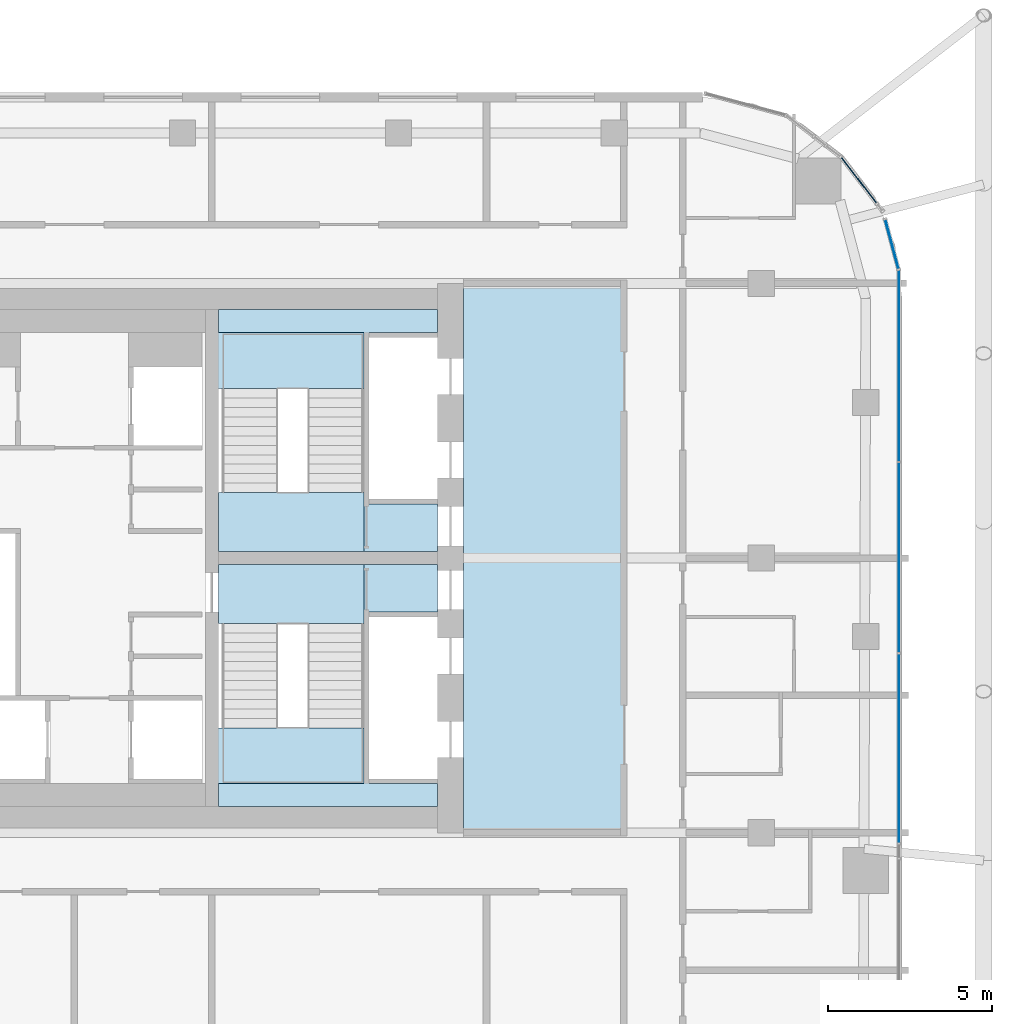
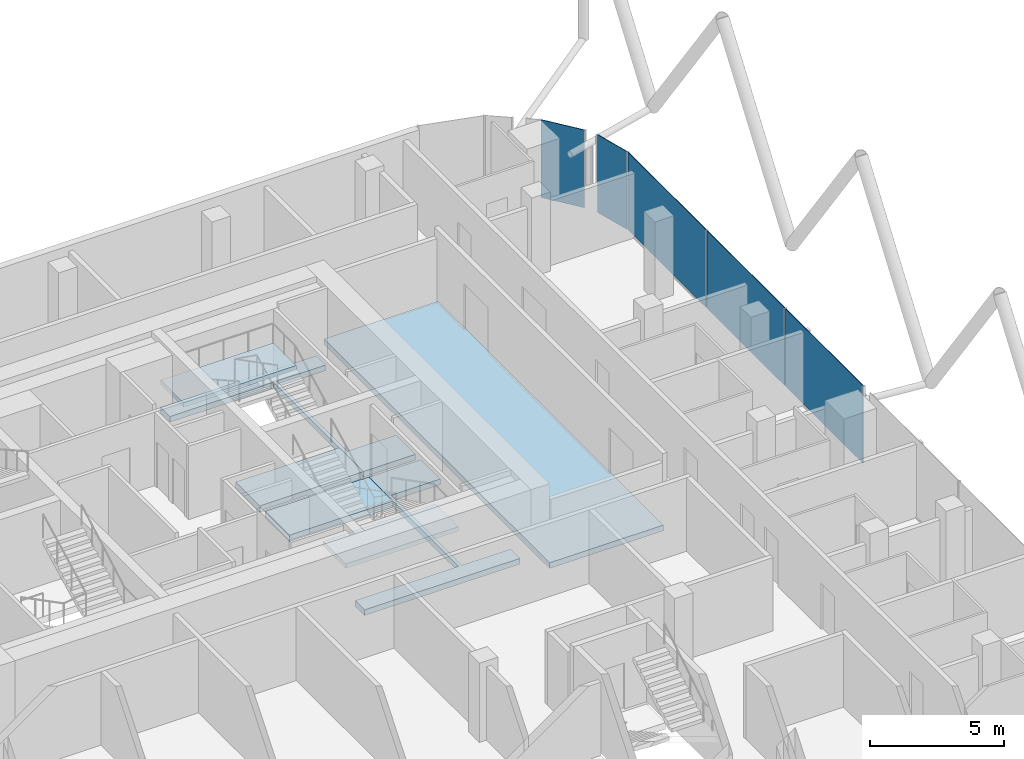
# One storey, part 21 of 31: 7 slabs, 5 plates, 5 elements without a shape of their own.
"""IFC4 building model written with IfcOpenShell, lengths in metres."""

import ifcopenshell
import ifcopenshell.guid

model = None  # the IFC model being written
_history = None  # IfcOwnerHistory: only IFC2X3 demands one
_inside = {}  # id of a spatial element -> (the spatial element, [elements in it])
_under = {}  # id of a project, library or spatial element -> (it, [spatial elements below it])
_declared = {}  # id of a project -> (the project, [libraries it declares])
_typed = {}  # id of a type object -> (the type object, [elements of that type])
_made_of = {}  # id of a material, layer set ... -> (it, [elements and type objects made of it])


def new_model(schema):
    """Start an empty IFC model of exactly this schema.

    Asked for "IFC4X3", IfcOpenShell would pick the latest addendum, in which some entities
    have other attributes; the version numbers below select the first issue.
    IFC2X3 requires an IfcOwnerHistory on every rooted entity: one is made here for all.
    """
    global model, _history
    if schema == "IFC4X3":
        model = ifcopenshell.file(schema_version=(4, 3, 0, 0))
    else:
        model = ifcopenshell.file(schema=schema)
    _inside.clear()
    _under.clear()
    _declared.clear()
    _typed.clear()
    _made_of.clear()
    _history = None
    if model.schema == "IFC2X3":
        org = make("IfcOrganization", Name="unknown")
        user = make(
            "IfcPersonAndOrganization",
            ThePerson=make("IfcPerson", FamilyName="unknown"),
            TheOrganization=org,
        )
        app = make(
            "IfcApplication",
            ApplicationDeveloper=org,
            Version="unknown",
            ApplicationFullName="unknown",
            ApplicationIdentifier="unknown",
        )
        _history = make(
            "IfcOwnerHistory",
            OwningUser=user,
            OwningApplication=app,
            ChangeAction="ADDED",
            CreationDate=0,
        )
    return model


def make(cls, **values):
    """One entity of the class cls with the attributes given. An attribute that is None is left unset."""
    return model.create_entity(
        cls, **{name: value for name, value in values.items() if value is not None}
    )


def rooted(cls, **values):
    """An entity with a GlobalId (a new one), such as an element, a storey or a relation."""
    return make(cls, GlobalId=ifcopenshell.guid.new(), OwnerHistory=_history, **values)


def si_unit(unit_type, name, prefix=None):
    """IfcSIUnit, for example si_unit("LENGTHUNIT", "METRE", prefix="MILLI")."""
    return make("IfcSIUnit", UnitType=unit_type, Prefix=prefix, Name=name)


def assignment(units):
    """IfcUnitAssignment: the units of a project."""
    return None if units is None else make("IfcUnitAssignment", Units=units)


def point(xyz):
    """IfcCartesianPoint."""
    return None if xyz is None else make("IfcCartesianPoint", Coordinates=xyz)


def direction(xyz):
    """IfcDirection."""
    return None if xyz is None else make("IfcDirection", DirectionRatios=xyz)


def frame(location, z_axis=None, x_axis=None):
    """IfcAxis2Placement3D, a coordinate frame: its origin and axes. An axis left out is left unset."""
    return make(
        "IfcAxis2Placement3D",
        Location=point(location),
        Axis=direction(z_axis),
        RefDirection=direction(x_axis),
    )


def frame_2d(location, x_axis=None):
    """IfcAxis2Placement2D, a coordinate frame in the plane: its origin and x axis."""
    return make(
        "IfcAxis2Placement2D", Location=point(location), RefDirection=direction(x_axis)
    )


def origin():
    """The frame at (0, 0, 0) with its axes left unset."""
    return frame((0.0, 0.0, 0.0))


def origin_2d():
    """The frame at (0, 0) in the plane with its x axis left unset."""
    return frame_2d((0.0, 0.0))


def place(relative_to, where):
    """IfcLocalPlacement: puts the frame where relative to a parent placement (None: the world)."""
    return make(
        "IfcLocalPlacement", PlacementRelTo=relative_to, RelativePlacement=where
    )


def context(
    kind, dimensions, precision=None, world=None, true_north=None, identifier=None
):
    """IfcGeometricRepresentationContext, for example the 3D "Model" context."""
    return make(
        "IfcGeometricRepresentationContext",
        ContextIdentifier=identifier,
        ContextType=kind,
        CoordinateSpaceDimension=dimensions,
        Precision=precision,
        WorldCoordinateSystem=world,
        TrueNorth=true_north,
    )


def subcontext(parent, identifier, kind, view, scale=None):
    """IfcGeometricRepresentationSubContext, for example "Body" below "Model"."""
    return make(
        "IfcGeometricRepresentationSubContext",
        ContextIdentifier=identifier,
        ContextType=kind,
        ParentContext=parent,
        TargetScale=scale,
        TargetView=view,
    )


def project(units=None, contexts=None):
    """IfcProject with its units and contexts."""
    return rooted(
        "IfcProject",
        Name="project",
        RepresentationContexts=contexts,
        UnitsInContext=assignment(units),
    )


def spatial(cls, under=None, at=None, **own):
    """A site, building, storey or space (cls), placed at a placement, below another one or the project."""
    s = rooted(cls, ObjectPlacement=at, **own)
    if under is not None:
        _under.setdefault(under.id(), (under, []))[1].append(s)
    return s


def polyline(points):
    """IfcPolyline through the points."""
    return make("IfcPolyline", Points=[point(p) for p in points])


def profile(cls, at=None, kind="AREA", **sizes):
    """A parametric profile (cls). Its sizes go by their IFC names, for example OverallWidth=200.0."""
    return make(cls, ProfileType=kind, Position=at, **sizes)


def rectangle(**sizes):
    """IfcRectangleProfileDef."""
    return profile("IfcRectangleProfileDef", **sizes)


def outline(outer, holes=None, kind="AREA"):
    """IfcArbitraryClosedProfileDef: a profile drawn as a closed curve; with holes, ...WithVoids."""
    if holes is None:
        return make("IfcArbitraryClosedProfileDef", ProfileType=kind, OuterCurve=outer)
    return make(
        "IfcArbitraryProfileDefWithVoids",
        ProfileType=kind,
        OuterCurve=outer,
        InnerCurves=holes,
    )


def extrude(swept, where, along, depth):
    """IfcExtrudedAreaSolid: the profile swept, set in the frame where, extruded along a direction by depth."""
    return make(
        "IfcExtrudedAreaSolid",
        SweptArea=swept,
        Position=where,
        ExtrudedDirection=direction(along),
        Depth=depth,
    )


def shape(context_of_items, identifier, shape_type, items):
    """IfcShapeRepresentation: the items that make up one representation, for example the "Body"."""
    return make(
        "IfcShapeRepresentation",
        ContextOfItems=context_of_items,
        RepresentationIdentifier=identifier,
        RepresentationType=shape_type,
        Items=items,
    )


def material(Name=None, Category=None):
    """IfcMaterial."""
    return make("IfcMaterial", Name=Name, Category=Category)


def layer(
    of_material, thickness, ventilated=None, Name=None, Category=None, Priority=None
):
    """IfcMaterialLayer: one layer of a wall or slab, of a material (None: an air gap)."""
    return make(
        "IfcMaterialLayer",
        Material=of_material,
        LayerThickness=thickness,
        IsVentilated=ventilated,
        Name=Name,
        Category=Category,
        Priority=Priority,
    )


def layer_set(layers, Name=None):
    """IfcMaterialLayerSet."""
    return make("IfcMaterialLayerSet", MaterialLayers=layers, LayerSetName=Name)


def made_of(thing, what):
    """Note that an element or type object is made of a material, layer set ...; save() writes the relation."""
    if what is not None:
        _made_of.setdefault(what.id(), (what, []))[1].append(thing)
    return thing


def type_object(cls, material=None, **own):
    """A type object (cls), such as IfcWallType, which elements share."""
    return made_of(rooted(cls, **own), material)


def element(
    cls,
    number,
    at=None,
    inside=None,
    cuts=None,
    type_object=None,
    material=None,
    context=None,
    identifier="Body",
    shape_type=None,
    held_by="IfcProductDefinitionShape",
    body=None,
    shapes=None,
    **own,
):
    """One element of the class cls, such as IfcWall. Its Tag is "e" and its number.

    at: its placement. inside: the storey or other place that contains it. cuts: it is an
    opening in that element (IfcRelVoidsElement). A single representation is given by context,
    identifier, shape_type and body (its items); several are given by shapes. held_by: the class
    of the entity that holds the representations. save() writes the other relations.
    """
    e = rooted(cls, Tag="e%d" % number, ObjectPlacement=at, **own)
    if body is not None:
        shapes = [shape(context, identifier, shape_type, body)]
    if shapes is not None:
        e.Representation = make(held_by, Representations=shapes)
    if inside is not None:
        _inside.setdefault(inside.id(), (inside, []))[1].append(e)
    if cuts is not None:
        rooted(
            "IfcRelVoidsElement", RelatingBuildingElement=cuts, RelatedOpeningElement=e
        )
    if type_object is not None:
        _typed.setdefault(type_object.id(), (type_object, []))[1].append(e)
    return made_of(e, material)


def aggregate(whole, parts):
    """IfcRelAggregates: a whole, such as a stair, and the parts it consists of."""
    return rooted("IfcRelAggregates", RelatingObject=whole, RelatedObjects=parts)


def save(model, path):
    """Write the relations noted so far, then the file.

    IfcRelAggregates (storeys below a building ...), IfcRelContainedInSpatialStructure (elements
    in a storey), IfcRelDefinesByType, IfcRelAssociatesMaterial and IfcRelDeclares: one each for
    every whole, place, type object, material and project.
    """
    for whole, parts in _under.values():
        aggregate(whole, parts)
    for where, things in _inside.values():
        rooted(
            "IfcRelContainedInSpatialStructure",
            RelatedElements=things,
            RelatingStructure=where,
        )
    for kind, things in _typed.values():
        rooted("IfcRelDefinesByType", RelatedObjects=things, RelatingType=kind)
    for what, things in _made_of.values():
        rooted("IfcRelAssociatesMaterial", RelatedObjects=things, RelatingMaterial=what)
    for by, libraries in _declared.values():
        rooted("IfcRelDeclares", RelatingContext=by, RelatedDefinitions=libraries)
    model.write(path)


model = new_model("IFC4")

# Units and contexts
model_context = context("Model", 3, precision=1e-05, world=origin(), true_north=direction((0.0, 1.0)))
body_context = subcontext(model_context, "Body", "Model", "MODEL_VIEW")
ifc_project = project(units=[si_unit("LENGTHUNIT", "METRE"), si_unit("AREAUNIT", "SQUARE_METRE"), si_unit("VOLUMEUNIT", "CUBIC_METRE"), si_unit("PLANEANGLEUNIT", "RADIAN"), si_unit("MASSUNIT", "GRAM", prefix="KILO")], contexts=[model_context])

# Site, building, storey
site_placement = place(None, origin())
site = spatial("IfcSite", under=ifc_project, at=site_placement, CompositionType="ELEMENT")
building_placement = place(site_placement, origin())
building = spatial("IfcBuilding", under=site, at=building_placement, Name="Marenta Gate Hotel Tower", CompositionType="ELEMENT")
storey_placement = place(building_placement, frame((0.0, 0.0, 191.300048828125)))
storey = spatial("IfcBuildingStorey", under=building, at=storey_placement, Name="L43", CompositionType="ELEMENT", Elevation=191.300048828125)

# Slabs
ifc_material_1 = material(Name="Concrete C40", Category="concrete")
ifc_layer_1 = layer(ifc_material_1, 0.260009765625)
ifc_layer_set_1 = layer_set([ifc_layer_1], Name="Concrete C40")
slab_type_1 = type_object("IfcSlabType", Name="Core floor slab 260", PredefinedType="FLOOR", material=ifc_layer_set_1)
slab_1_placement = place(storey_placement, frame((0.0, 0.0, -0.260009765625)))
element("IfcSlab", 1, at=slab_1_placement, inside=storey, type_object=slab_type_1, Name="L43-CF-1", PredefinedType="FLOOR", context=body_context, shape_type="SweptSolid", body=[
    extrude(outline(polyline([(11.89990234375, 0.0), (11.89990234375, 16.800048828125), (16.800048828125, 16.800048828125), (16.800048828125, 0.0), (11.89990234375, 0.0)])), origin(), (0.0, 0.0, 1.0), 0.260009765625),
])
slab_2_placement = place(storey_placement, frame((0.0, 0.0, -0.260009765625)))
element("IfcSlab", 2, at=slab_2_placement, inside=storey, type_object=slab_type_1, Name="L43-CF-2", PredefinedType="FLOOR", context=body_context, shape_type="SweptSolid", body=[
    extrude(outline(polyline([(8.85009765625, 1.5), (8.85009765625, 6.39990234375), (8.85009765625, 8.10009765625), (8.85009765625, 8.199951171875), (11.10009765625, 8.199951171875), (11.10009765625, 6.75), (9.0, 6.75), (9.0, 6.60009765625), (9.0, 4.199951171875), (9.0, 4.050048828125), (9.0, 1.64990234375), (9.0, 1.5), (11.10009765625, 1.5), (11.10009765625, 0.800048828125), (4.39990234375, 0.800048828125), (4.39990234375, 1.5), (8.85009765625, 1.5)])), origin(), (0.0, 0.0, 1.0), 0.260009765625),
])
slab_3_placement = place(storey_placement, frame((0.0, 0.0, -0.260009765625)))
element("IfcSlab", 3, at=slab_3_placement, inside=storey, type_object=slab_type_1, Name="L43-CF-3", PredefinedType="FLOOR", context=body_context, shape_type="SweptSolid", body=[
    extrude(outline(polyline([(8.85009765625, 15.300048828125), (4.39990234375, 15.300048828125), (4.39990234375, 16.0), (11.10009765625, 16.0), (11.10009765625, 15.300048828125), (9.0, 15.300048828125), (9.0, 15.14990234375), (9.0, 12.75), (9.0, 12.60009765625), (9.0, 10.199951171875), (9.0, 10.050048828125), (11.10009765625, 10.050048828125), (11.10009765625, 8.60009765625), (8.85009765625, 8.60009765625), (8.85009765625, 8.699951171875), (8.85009765625, 10.39990234375), (8.85009765625, 15.300048828125)])), origin(), (0.0, 0.0, 1.0), 0.260009765625),
])

# Stair, slab
ifc_material_2 = material(Name="Concrete C40", Category="concrete")
stair_type = type_object("IfcStairType", Name="Core exit stair 1700 wide", PredefinedType="HALF_TURN_STAIR", material=ifc_material_2)
stair_1_placement = place(storey_placement, origin())
stair_1 = element("IfcStair", 4, at=stair_1_placement, inside=storey, type_object=stair_type, Name="Exit stair 3", PredefinedType="HALF_TURN_STAIR")
ifc_material_3 = material(Name="Concrete C40", Category="concrete")
ifc_layer_2 = layer(ifc_material_3, 0.199951171875)
ifc_layer_set_2 = layer_set([ifc_layer_2], Name="Concrete C40")
slab_type_2 = type_object("IfcSlabType", Name="Core stair landing 200", PredefinedType="LANDING", material=ifc_layer_set_2)
slab_4_placement = place(storey_placement, frame((0.0, 0.0, 1.599853515625)))
slab_4 = element("IfcSlab", 5, at=slab_4_placement, type_object=slab_type_2, Name="SL-200 ST3 landing 1", PredefinedType="LANDING", context=body_context, shape_type="SweptSolid", body=[
    extrude(outline(polyline([(4.0, 1.5), (8.85009765625, 1.5), (8.85009765625, 3.2099609375), (4.0, 3.2099609375), (4.0, 1.5)])), origin(), (0.0, 0.0, 1.0), 0.2001953125),
])
aggregate(stair_1, [slab_4])

stair_2_placement = place(storey_placement, origin())
stair_2 = element("IfcStair", 6, at=stair_2_placement, inside=storey, type_object=stair_type, Name="Exit stair 4", PredefinedType="HALF_TURN_STAIR")
slab_5_placement = place(storey_placement, frame((0.0, 0.0, 1.599853515625)))
slab_5 = element("IfcSlab", 7, at=slab_5_placement, type_object=slab_type_2, Name="SL-200 ST4 landing 1", PredefinedType="LANDING", context=body_context, shape_type="SweptSolid", body=[
    extrude(outline(polyline([(4.0, 13.590087890625), (8.85009765625, 13.590087890625), (8.85009765625, 15.300048828125), (4.0, 15.300048828125), (4.0, 13.590087890625)])), origin(), (0.0, 0.0, 1.0), 0.2001953125),
])
aggregate(stair_2, [slab_5])

# Curtain wall, plates
ifc_material_4 = material(Name="Tinted insulated glass in bronze anodised frame", Category="glass")
ifc_layer_3 = layer(ifc_material_4, 0.1201171875)
ifc_layer_set_3 = layer_set([ifc_layer_3], Name="Tinted insulated glass in bronze anodised frame")
curtain_wall_type = type_object("IfcCurtainWallType", Name="Tower unitised curtain wall CW1", PredefinedType="NOTDEFINED", material=ifc_layer_set_3)
curtain_wall_1_placement = place(storey_placement, origin())
curtain_wall_1 = element("IfcCurtainWall", 8, at=curtain_wall_1_placement, inside=storey, type_object=curtain_wall_type, Name="CW1 run G34", PredefinedType="NOTDEFINED")
ifc_material_5 = material(Name="Tinted insulated glass", Category="glass")
ifc_layer_4 = layer(ifc_material_5, 0.028076171875)
ifc_layer_set_4 = layer_set([ifc_layer_4], Name="Tinted insulated glass")
plate_type = type_object("IfcPlateType", Name="Glass panel CW1 28 mm tinted insulated unit", PredefinedType="CURTAIN_PANEL", material=ifc_layer_set_4)
plate_1_placement = place(storey_placement, frame((25.214111328125, 2.57373046875, 0.059814453125), z_axis=(0.0, 0.0, 1.0), x_axis=(0.0, 1.0, 0.0)))
plate_1 = element("IfcPlate", 9, at=plate_1_placement, type_object=plate_type, Name="CW1 panel 1.1", PredefinedType="CURTAIN_PANEL", context=body_context, shape_type="SweptSolid", body=[
    extrude(rectangle(XDim=5.76318359375, YDim=0.028076171875, at=origin_2d()), origin(), (0.0, 0.0, 1.0), 3.5400390625),
])
plate_2_placement = place(storey_placement, frame((25.214111328125, 8.412109375, 0.059814453125), z_axis=(0.0, 0.0, 1.0), x_axis=(0.0, 1.0, 0.0)))
plate_2 = element("IfcPlate", 10, at=plate_2_placement, type_object=plate_type, Name="CW1 panel 2.1", PredefinedType="CURTAIN_PANEL", context=body_context, shape_type="SweptSolid", body=[
    extrude(rectangle(XDim=5.793212890625, YDim=0.028076171875, at=origin_2d()), origin(), (0.0, 0.0, 1.0), 3.5400390625),
])
plate_3_placement = place(storey_placement, frame((25.214111328125, 14.2802734375, 0.059814453125), z_axis=(0.0, 0.0, 1.0), x_axis=(0.0, 1.0, 0.0)))
plate_3 = element("IfcPlate", 11, at=plate_3_placement, type_object=plate_type, Name="CW1 panel 3.1", PredefinedType="CURTAIN_PANEL", context=body_context, shape_type="SweptSolid", body=[
    extrude(rectangle(XDim=5.8232421875, YDim=0.028076171875, at=origin_2d()), origin(), (0.0, 0.0, 1.0), 3.5400390625),
])
aggregate(curtain_wall_1, [plate_1, plate_2, plate_3])

# Curtain wall, plate
curtain_wall_2_placement = place(storey_placement, origin())
curtain_wall_2 = element("IfcCurtainWall", 12, at=curtain_wall_2_placement, inside=storey, type_object=curtain_wall_type, Name="CW1 run G35", PredefinedType="NOTDEFINED")
plate_4_placement = place(storey_placement, frame((24.998779296875, 17.9951171875, 0.059814453125), z_axis=(0.0, 0.0, 1.0), x_axis=(-0.25883027083, 0.965922818295, 0.0)))
plate_4 = element("IfcPlate", 13, at=plate_4_placement, type_object=plate_type, Name="CW1 panel 1.1", PredefinedType="CURTAIN_PANEL", context=body_context, shape_type="SweptSolid", body=[
    extrude(rectangle(XDim=1.54296875, YDim=0.028076171875, at=origin_2d()), origin(), (0.0, 0.0, 1.0), 3.5400390625),
])
aggregate(curtain_wall_2, [plate_4])

curtain_wall_3_placement = place(storey_placement, origin())
curtain_wall_3 = element("IfcCurtainWall", 14, at=curtain_wall_3_placement, inside=storey, type_object=curtain_wall_type, Name="CW1 run G37", PredefinedType="NOTDEFINED")
plate_5_placement = place(storey_placement, frame((23.98876953125, 19.9541015625, 0.059814453125), z_axis=(0.0, 0.0, 1.0), x_axis=(-0.608784227687, 0.79333584573, 0.0)))
plate_5 = element("IfcPlate", 15, at=plate_5_placement, type_object=plate_type, Name="CW1 panel 1.1", PredefinedType="CURTAIN_PANEL", context=body_context, shape_type="SweptSolid", body=[
    extrude(rectangle(XDim=1.76123046875, YDim=0.028076171875, at=origin_2d()), origin(), (0.0, 0.0, 1.0), 3.5400390625),
])
aggregate(curtain_wall_3, [plate_5])

# Slabs
ifc_material_6 = material(Name="Concrete C40", Category="concrete")
ifc_layer_5 = layer(ifc_material_6, 0.300048828125)
ifc_layer_set_5 = layer_set([ifc_layer_5], Name="Concrete C40")
slab_type_3 = type_object("IfcSlabType", Name="Stair floor landing slab 300", PredefinedType="FLOOR", material=ifc_layer_set_5)
slab_6_placement = place(storey_placement, frame((0.0, 0.0, -0.300048828125)))
element("IfcSlab", 16, at=slab_6_placement, inside=storey, type_object=slab_type_3, Name="L43-CL-ST3-1", PredefinedType="FLOOR", context=body_context, shape_type="SweptSolid", body=[
    extrude(outline(polyline([(4.39990234375, 6.39990234375), (4.39990234375, 8.199951171875), (8.85009765625, 8.199951171875), (8.85009765625, 8.10009765625), (8.85009765625, 6.39990234375), (4.39990234375, 6.39990234375)])), origin(), (0.0, 0.0, 1.0), 0.300048828125),
])
slab_7_placement = place(storey_placement, frame((0.0, 0.0, -0.300048828125)))
element("IfcSlab", 17, at=slab_7_placement, inside=storey, type_object=slab_type_3, Name="L43-CL-ST4-1", PredefinedType="FLOOR", context=body_context, shape_type="SweptSolid", body=[
    extrude(outline(polyline([(4.39990234375, 8.60009765625), (4.39990234375, 10.39990234375), (8.85009765625, 10.39990234375), (8.85009765625, 8.699951171875), (8.85009765625, 8.60009765625), (4.39990234375, 8.60009765625)])), origin(), (0.0, 0.0, 1.0), 0.300048828125),
])

save(model, "model.ifc")
